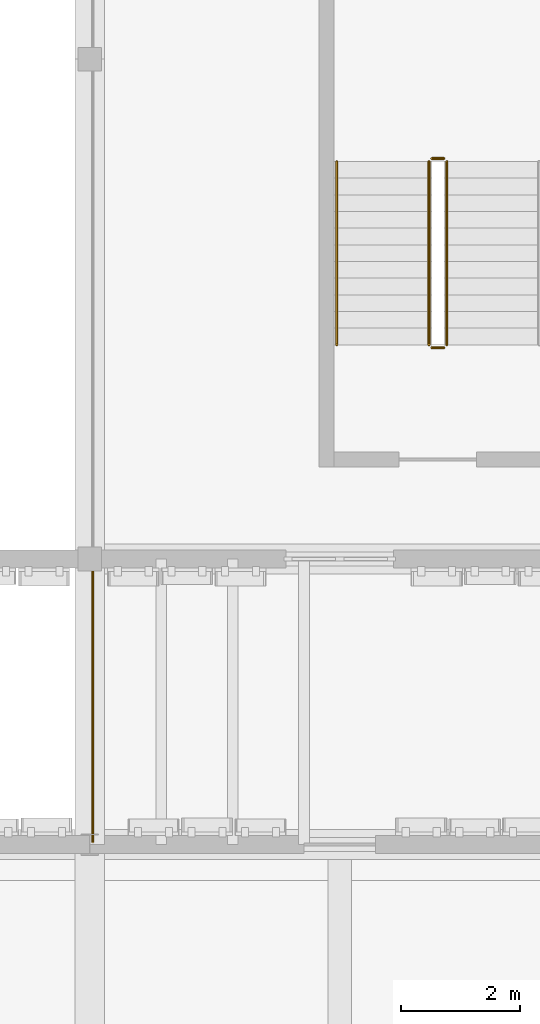
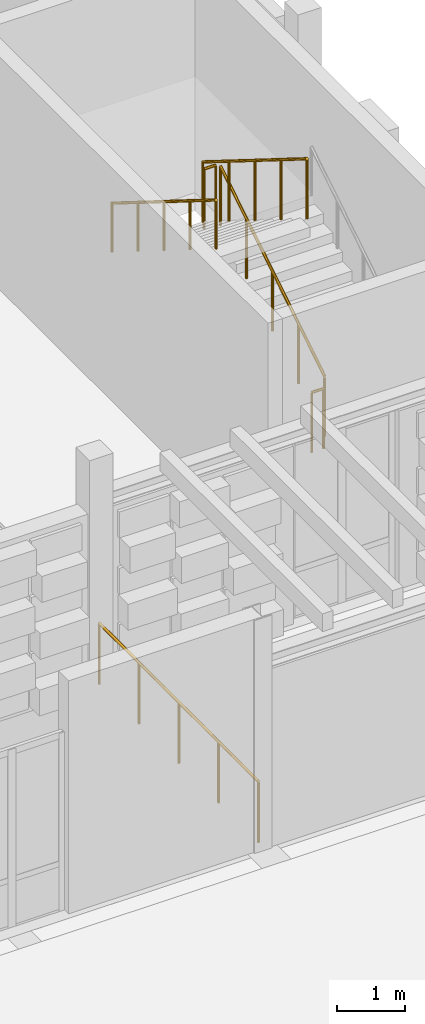
# One storey, part 91 of 99: 6 railings.
"""IFC4 building model written with IfcOpenShell, lengths in metres."""

import ifcopenshell
import ifcopenshell.guid

model = None  # the IFC model being written
_history = None  # IfcOwnerHistory: only IFC2X3 demands one
_inside = {}  # id of a spatial element -> (the spatial element, [elements in it])
_under = {}  # id of a project, library or spatial element -> (it, [spatial elements below it])
_declared = {}  # id of a project -> (the project, [libraries it declares])
_typed = {}  # id of a type object -> (the type object, [elements of that type])
_made_of = {}  # id of a material, layer set ... -> (it, [elements and type objects made of it])


def new_model(schema):
    """Start an empty IFC model of exactly this schema.

    Asked for "IFC4X3", IfcOpenShell would pick the latest addendum, in which some entities
    have other attributes; the version numbers below select the first issue.
    IFC2X3 requires an IfcOwnerHistory on every rooted entity: one is made here for all.
    """
    global model, _history
    if schema == "IFC4X3":
        model = ifcopenshell.file(schema_version=(4, 3, 0, 0))
    else:
        model = ifcopenshell.file(schema=schema)
    _inside.clear()
    _under.clear()
    _declared.clear()
    _typed.clear()
    _made_of.clear()
    _history = None
    if model.schema == "IFC2X3":
        org = make("IfcOrganization", Name="unknown")
        user = make(
            "IfcPersonAndOrganization",
            ThePerson=make("IfcPerson", FamilyName="unknown"),
            TheOrganization=org,
        )
        app = make(
            "IfcApplication",
            ApplicationDeveloper=org,
            Version="unknown",
            ApplicationFullName="unknown",
            ApplicationIdentifier="unknown",
        )
        _history = make(
            "IfcOwnerHistory",
            OwningUser=user,
            OwningApplication=app,
            ChangeAction="ADDED",
            CreationDate=0,
        )
    return model


def make(cls, **values):
    """One entity of the class cls with the attributes given. An attribute that is None is left unset."""
    return model.create_entity(
        cls, **{name: value for name, value in values.items() if value is not None}
    )


def rooted(cls, **values):
    """An entity with a GlobalId (a new one), such as an element, a storey or a relation."""
    return make(cls, GlobalId=ifcopenshell.guid.new(), OwnerHistory=_history, **values)


def si_unit(unit_type, name, prefix=None):
    """IfcSIUnit, for example si_unit("LENGTHUNIT", "METRE", prefix="MILLI")."""
    return make("IfcSIUnit", UnitType=unit_type, Prefix=prefix, Name=name)


def assignment(units):
    """IfcUnitAssignment: the units of a project."""
    return None if units is None else make("IfcUnitAssignment", Units=units)


def point(xyz):
    """IfcCartesianPoint."""
    return None if xyz is None else make("IfcCartesianPoint", Coordinates=xyz)


def direction(xyz):
    """IfcDirection."""
    return None if xyz is None else make("IfcDirection", DirectionRatios=xyz)


def frame(location, z_axis=None, x_axis=None):
    """IfcAxis2Placement3D, a coordinate frame: its origin and axes. An axis left out is left unset."""
    return make(
        "IfcAxis2Placement3D",
        Location=point(location),
        Axis=direction(z_axis),
        RefDirection=direction(x_axis),
    )


def frame_2d(location, x_axis=None):
    """IfcAxis2Placement2D, a coordinate frame in the plane: its origin and x axis."""
    return make(
        "IfcAxis2Placement2D", Location=point(location), RefDirection=direction(x_axis)
    )


def origin():
    """The frame at (0, 0, 0) with its axes left unset."""
    return frame((0.0, 0.0, 0.0))


def origin_2d():
    """The frame at (0, 0) in the plane with its x axis left unset."""
    return frame_2d((0.0, 0.0))


def place(relative_to, where):
    """IfcLocalPlacement: puts the frame where relative to a parent placement (None: the world)."""
    return make(
        "IfcLocalPlacement", PlacementRelTo=relative_to, RelativePlacement=where
    )


def context(
    kind, dimensions, precision=None, world=None, true_north=None, identifier=None
):
    """IfcGeometricRepresentationContext, for example the 3D "Model" context."""
    return make(
        "IfcGeometricRepresentationContext",
        ContextIdentifier=identifier,
        ContextType=kind,
        CoordinateSpaceDimension=dimensions,
        Precision=precision,
        WorldCoordinateSystem=world,
        TrueNorth=true_north,
    )


def subcontext(parent, identifier, kind, view, scale=None):
    """IfcGeometricRepresentationSubContext, for example "Body" below "Model"."""
    return make(
        "IfcGeometricRepresentationSubContext",
        ContextIdentifier=identifier,
        ContextType=kind,
        ParentContext=parent,
        TargetScale=scale,
        TargetView=view,
    )


def project(units=None, contexts=None):
    """IfcProject with its units and contexts."""
    return rooted(
        "IfcProject",
        Name="project",
        RepresentationContexts=contexts,
        UnitsInContext=assignment(units),
    )


def spatial(cls, under=None, at=None, **own):
    """A site, building, storey or space (cls), placed at a placement, below another one or the project."""
    s = rooted(cls, ObjectPlacement=at, **own)
    if under is not None:
        _under.setdefault(under.id(), (under, []))[1].append(s)
    return s


def profile(cls, at=None, kind="AREA", **sizes):
    """A parametric profile (cls). Its sizes go by their IFC names, for example OverallWidth=200.0."""
    return make(cls, ProfileType=kind, Position=at, **sizes)


def circle(**sizes):
    """IfcCircleProfileDef."""
    return profile("IfcCircleProfileDef", **sizes)


def extrude(swept, where, along, depth):
    """IfcExtrudedAreaSolid: the profile swept, set in the frame where, extruded along a direction by depth."""
    return make(
        "IfcExtrudedAreaSolid",
        SweptArea=swept,
        Position=where,
        ExtrudedDirection=direction(along),
        Depth=depth,
    )


def shape(context_of_items, identifier, shape_type, items):
    """IfcShapeRepresentation: the items that make up one representation, for example the "Body"."""
    return make(
        "IfcShapeRepresentation",
        ContextOfItems=context_of_items,
        RepresentationIdentifier=identifier,
        RepresentationType=shape_type,
        Items=items,
    )


def material(Name=None, Category=None):
    """IfcMaterial."""
    return make("IfcMaterial", Name=Name, Category=Category)


def made_of(thing, what):
    """Note that an element or type object is made of a material, layer set ...; save() writes the relation."""
    if what is not None:
        _made_of.setdefault(what.id(), (what, []))[1].append(thing)
    return thing


def type_object(cls, material=None, **own):
    """A type object (cls), such as IfcWallType, which elements share."""
    return made_of(rooted(cls, **own), material)


def element(
    cls,
    number,
    at=None,
    inside=None,
    cuts=None,
    type_object=None,
    material=None,
    context=None,
    identifier="Body",
    shape_type=None,
    held_by="IfcProductDefinitionShape",
    body=None,
    shapes=None,
    **own,
):
    """One element of the class cls, such as IfcWall. Its Tag is "e" and its number.

    at: its placement. inside: the storey or other place that contains it. cuts: it is an
    opening in that element (IfcRelVoidsElement). A single representation is given by context,
    identifier, shape_type and body (its items); several are given by shapes. held_by: the class
    of the entity that holds the representations. save() writes the other relations.
    """
    e = rooted(cls, Tag="e%d" % number, ObjectPlacement=at, **own)
    if body is not None:
        shapes = [shape(context, identifier, shape_type, body)]
    if shapes is not None:
        e.Representation = make(held_by, Representations=shapes)
    if inside is not None:
        _inside.setdefault(inside.id(), (inside, []))[1].append(e)
    if cuts is not None:
        rooted(
            "IfcRelVoidsElement", RelatingBuildingElement=cuts, RelatedOpeningElement=e
        )
    if type_object is not None:
        _typed.setdefault(type_object.id(), (type_object, []))[1].append(e)
    return made_of(e, material)


def aggregate(whole, parts):
    """IfcRelAggregates: a whole, such as a stair, and the parts it consists of."""
    return rooted("IfcRelAggregates", RelatingObject=whole, RelatedObjects=parts)


def save(model, path):
    """Write the relations noted so far, then the file.

    IfcRelAggregates (storeys below a building ...), IfcRelContainedInSpatialStructure (elements
    in a storey), IfcRelDefinesByType, IfcRelAssociatesMaterial and IfcRelDeclares: one each for
    every whole, place, type object, material and project.
    """
    for whole, parts in _under.values():
        aggregate(whole, parts)
    for where, things in _inside.values():
        rooted(
            "IfcRelContainedInSpatialStructure",
            RelatedElements=things,
            RelatingStructure=where,
        )
    for kind, things in _typed.values():
        rooted("IfcRelDefinesByType", RelatedObjects=things, RelatingType=kind)
    for what, things in _made_of.values():
        rooted("IfcRelAssociatesMaterial", RelatedObjects=things, RelatingMaterial=what)
    for by, libraries in _declared.values():
        rooted("IfcRelDeclares", RelatingContext=by, RelatedDefinitions=libraries)
    model.write(path)


model = new_model("IFC4")

# Units and contexts
model_context = context("Model", 3, precision=1e-05, world=origin(), true_north=direction((0.0, 1.0)))
body_context = subcontext(model_context, "Body", "Model", "MODEL_VIEW")
ifc_project = project(units=[si_unit("LENGTHUNIT", "METRE"), si_unit("AREAUNIT", "SQUARE_METRE"), si_unit("VOLUMEUNIT", "CUBIC_METRE"), si_unit("PLANEANGLEUNIT", "RADIAN"), si_unit("MASSUNIT", "GRAM", prefix="KILO")], contexts=[model_context])

# Site, building, storey
site_placement = place(None, origin())
site = spatial("IfcSite", under=ifc_project, at=site_placement, CompositionType="ELEMENT")
building_placement = place(site_placement, origin())
building = spatial("IfcBuilding", under=site, at=building_placement, Name="Kahlenmark Community Centre", CompositionType="ELEMENT")
storey_placement = place(building_placement, frame((0.0, 0.0, 5.39990234375)))
storey = spatial("IfcBuildingStorey", under=building, at=storey_placement, Name="L01", CompositionType="ELEMENT", Elevation=5.39990234375)

# Railings
ifc_material_1 = material(Name="Powder-coated galvanized steel balustrade", Category="steel")
railing_type_1 = type_object("IfcRailingType", Name="RLT-BAL-1120", PredefinedType="BALUSTRADE", material=ifc_material_1)
railing_1_placement = place(storey_placement, frame((29.25, 37.64990234375, 0.0)))
element("IfcRailing", 1, at=railing_1_placement, inside=storey, type_object=railing_type_1, Name="Balustrade guard L01-008", PredefinedType="BALUSTRADE", context=body_context, shape_type="SweptSolid", body=[
    extrude(circle(Radius=0.02392578125, at=origin_2d()), frame((0.0, 0.0, 1.09619140625), z_axis=(0.0, 1.0, 0.0), x_axis=(-1.0, 0.0, 0.0)), (0.0, 0.0, 1.0), 4.7001953125),
    extrude(circle(Radius=0.02099609375, at=origin_2d()), origin(), (0.0, 0.0, 1.0), 1.072021484375),
    extrude(circle(Radius=0.02099609375, at=origin_2d()), frame((0.0, 1.175048828125, 0.0)), (0.0, 0.0, 1.0), 1.072021484375),
    extrude(circle(Radius=0.02099609375, at=origin_2d()), frame((0.0, 2.35009765625, 0.0)), (0.0, 0.0, 1.0), 1.072021484375),
    extrude(circle(Radius=0.02099609375, at=origin_2d()), frame((0.0, 3.525146484375, 0.0)), (0.0, 0.0, 1.0), 1.072021484375),
    extrude(circle(Radius=0.02099609375, at=origin_2d()), frame((0.0, 4.7001953125, 0.0)), (0.0, 0.0, 1.0), 1.072021484375),
])
ifc_material_2 = material(Name="Brushed stainless steel 1.4301 handrail", Category="steel")
railing_type_2 = type_object("IfcRailingType", Name="RLT-HR-900", PredefinedType="HANDRAIL", material=ifc_material_2)
railing_2_placement = place(storey_placement, frame((33.35009765625, 49.080078125, 2.275146484375)))
element("IfcRailing", 2, at=railing_2_placement, inside=storey, type_object=railing_type_2, Name="L01 ST-02 stair handrail 2", PredefinedType="HANDRAIL", context=body_context, shape_type="SweptSolid", body=[
    extrude(circle(Radius=0.02392578125, at=origin_2d()), frame((0.0, 0.0, 0.8759765625), z_axis=(0.0, -0.847998304005, 0.529998940003), x_axis=(1.0, 0.0, 0.0)), (0.0, 0.0, 1.0), 3.632080078125),
    extrude(circle(Radius=0.02099609375, at=origin_2d()), origin(), (0.0, 0.0, 1.0), 0.851806640625),
    extrude(circle(Radius=0.02099609375, at=origin_2d()), frame((0.0, -0.77001953125, 0.481201171875)), (0.0, 0.0, 1.0), 0.851806640625),
    extrude(circle(Radius=0.02099609375, at=origin_2d()), frame((0.0, -1.5400390625, 0.96240234375)), (0.0, 0.0, 1.0), 0.851806640625),
    extrude(circle(Radius=0.02099609375, at=origin_2d()), frame((0.0, -2.31005859375, 1.44384765625)), (0.0, 0.0, 1.0), 0.851806640625),
    extrude(circle(Radius=0.02099609375, at=origin_2d()), frame((0.0, -3.080078125, 1.925048828125)), (0.0, 0.0, 1.0), 0.851806640625),
])
ifc_material_3 = material(Name="Powder-coated steel stair well guard", Category="steel")
railing_type_3 = type_object("IfcRailingType", Name="RLT-SG-1120", PredefinedType="GUARDRAIL", material=ifc_material_3)
railing_3_placement = place(storey_placement, frame((35.199951171875, 46.0, 0.175048828125)))
element("IfcRailing", 3, at=railing_3_placement, inside=storey, type_object=railing_type_3, Name="L01 ST-02 stair guard 1", PredefinedType="GUARDRAIL", context=body_context, shape_type="SweptSolid", body=[
    extrude(circle(Radius=0.02392578125, at=origin_2d()), frame((0.0, 0.0, 1.076171875), z_axis=(0.0, 0.847998304005, 0.529998940003), x_axis=(-1.0, 0.0, 0.0)), (0.0, 0.0, 1.0), 3.632080078125),
    extrude(circle(Radius=0.02099609375, at=origin_2d()), origin(), (0.0, 0.0, 1.0), 1.052001953125),
    extrude(circle(Radius=0.02099609375, at=origin_2d()), frame((0.0, 0.77001953125, 0.481201171875)), (0.0, 0.0, 1.0), 1.052001953125),
    extrude(circle(Radius=0.02099609375, at=origin_2d()), frame((0.0, 1.5400390625, 0.96240234375)), (0.0, 0.0, 1.0), 1.052001953125),
    extrude(circle(Radius=0.02099609375, at=origin_2d()), frame((0.0, 2.31005859375, 1.44384765625)), (0.0, 0.0, 1.0), 1.052001953125),
    extrude(circle(Radius=0.02099609375, at=origin_2d()), frame((0.0, 3.080078125, 1.925048828125)), (0.0, 0.0, 1.0), 1.052001953125),
])
railing_4_placement = place(storey_placement, frame((35.14990234375, 49.1298828125, 2.10009765625)))
element("IfcRailing", 4, at=railing_4_placement, inside=storey, type_object=railing_type_3, Name="L01 ST-02 stair guard 2", PredefinedType="GUARDRAIL", context=body_context, shape_type="SweptSolid", body=[
    extrude(circle(Radius=0.02392578125, at=origin_2d()), frame((0.0, 0.0, 1.076171875), z_axis=(-1.0, 0.0, 0.0), x_axis=(0.0, -1.0, 0.0)), (0.0, 0.0, 1.0), 0.199951171875),
    extrude(circle(Radius=0.02099609375, at=origin_2d()), origin(), (0.0, 0.0, 1.0), 1.052001953125),
    extrude(circle(Radius=0.02099609375, at=origin_2d()), frame((-0.199951171875, 0.0, 0.0)), (0.0, 0.0, 1.0), 1.052001953125),
])
railing_5_placement = place(storey_placement, frame((34.89990234375, 49.080078125, 2.275146484375)))
element("IfcRailing", 5, at=railing_5_placement, inside=storey, type_object=railing_type_3, Name="L01 ST-02 stair guard 3", PredefinedType="GUARDRAIL", context=body_context, shape_type="SweptSolid", body=[
    extrude(circle(Radius=0.02392578125, at=origin_2d()), frame((0.0, 0.0, 1.076171875), z_axis=(0.0, -0.847998304005, 0.529998940003), x_axis=(1.0, 0.0, 0.0)), (0.0, 0.0, 1.0), 3.632080078125),
    extrude(circle(Radius=0.02099609375, at=origin_2d()), origin(), (0.0, 0.0, 1.0), 1.052001953125),
    extrude(circle(Radius=0.02099609375, at=origin_2d()), frame((0.0, -0.77001953125, 0.481201171875)), (0.0, 0.0, 1.0), 1.052001953125),
    extrude(circle(Radius=0.02099609375, at=origin_2d()), frame((0.0, -1.5400390625, 0.96240234375)), (0.0, 0.0, 1.0), 1.052001953125),
    extrude(circle(Radius=0.02099609375, at=origin_2d()), frame((0.0, -2.31005859375, 1.44384765625)), (0.0, 0.0, 1.0), 1.052001953125),
    extrude(circle(Radius=0.02099609375, at=origin_2d()), frame((0.0, -3.080078125, 1.925048828125)), (0.0, 0.0, 1.0), 1.052001953125),
])
railing_6_placement = place(storey_placement, frame((35.14990234375, 45.949951171875, 0.0)))
element("IfcRailing", 6, at=railing_6_placement, inside=storey, type_object=railing_type_3, Name="L01 ST-02 stair guard 4", PredefinedType="GUARDRAIL", context=body_context, shape_type="SweptSolid", body=[
    extrude(circle(Radius=0.02392578125, at=origin_2d()), frame((0.0, 0.0, 1.076171875), z_axis=(-1.0, 0.0, 0.0), x_axis=(0.0, -1.0, 0.0)), (0.0, 0.0, 1.0), 0.199951171875),
    extrude(circle(Radius=0.02099609375, at=origin_2d()), origin(), (0.0, 0.0, 1.0), 1.052001953125),
    extrude(circle(Radius=0.02099609375, at=origin_2d()), frame((-0.199951171875, 0.0, 0.0)), (0.0, 0.0, 1.0), 1.052001953125),
])

save(model, "model.ifc")
